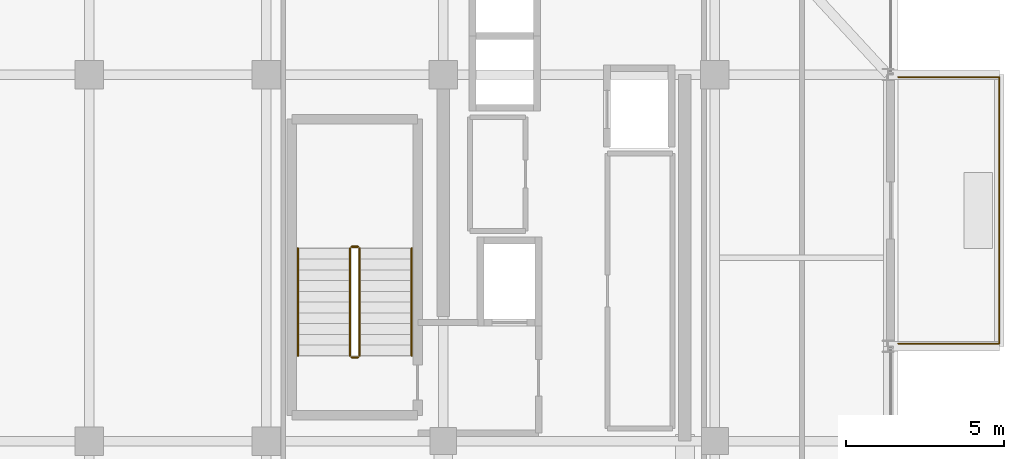
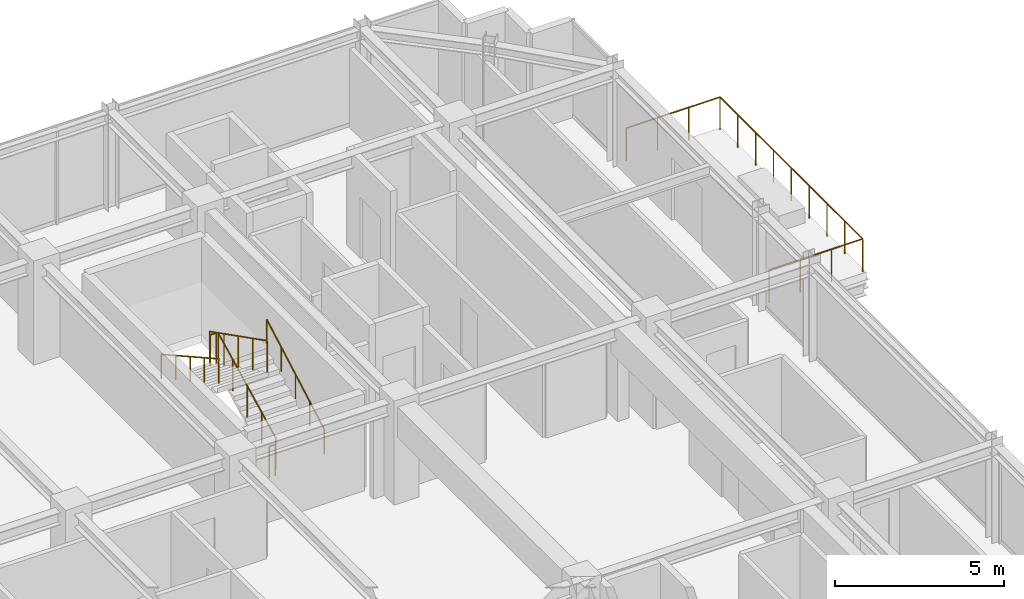
# One storey, part 31 of 32: 7 railings.
"""IFC4 building model written with IfcOpenShell, lengths in metres."""

from ifc_helpers import new_model, si_unit, direction, frame, origin, origin_2d, place, context, subcontext, project, spatial, circle, extrude, material, type_object, element, save


model = new_model("IFC4")

# Units and contexts
model_context = context("Model", 3, precision=1e-05, world=origin(), true_north=direction((0.0, 1.0)))
body_context = subcontext(model_context, "Body", "Model", "MODEL_VIEW")
ifc_project = project(units=[si_unit("LENGTHUNIT", "METRE"), si_unit("AREAUNIT", "SQUARE_METRE"), si_unit("VOLUMEUNIT", "CUBIC_METRE"), si_unit("PLANEANGLEUNIT", "RADIAN"), si_unit("MASSUNIT", "GRAM", prefix="KILO")], contexts=[model_context])

# Site, building, storey
site_placement = place(None, origin())
site = spatial("IfcSite", under=ifc_project, at=site_placement, CompositionType="ELEMENT")
building_placement = place(site_placement, origin())
building = spatial("IfcBuilding", under=site, at=building_placement, Name="Nahalor Promenade Grand Hotel", CompositionType="ELEMENT")
storey_placement = place(building_placement, frame((0.0, 0.0, 330.949951171875)))
storey = spatial("IfcBuildingStorey", under=building, at=storey_placement, Name="L85", CompositionType="ELEMENT", Elevation=330.949951171875)

# Railings
ifc_material_1 = material(Name="Anodised Bronze Aluminium EN AW-6063 T6", Category="aluminium")
railing_type_1 = type_object("IfcRailingType", Name="Bronze Balcony Guardrail 1200 mm", PredefinedType="GUARDRAIL", material=ifc_material_1)
railing_1_placement = place(storey_placement, frame((22.800048828125, 8.47998046875, 0.0)))
element("IfcRailing", 1, at=railing_1_placement, inside=storey, type_object=railing_type_1, Name="L85 Balcony Guardrail 2", PredefinedType="GUARDRAIL", context=body_context, shape_type="SweptSolid", body=[
    extrude(circle(Radius=0.024048, at=origin_2d()), frame((0.0, 0.0, 1.17578125), z_axis=(1.0, 0.0, 0.0), x_axis=(0.0, 1.0, 0.0)), (0.0, 0.0, 1.0), 3.197998046875),
    extrude(circle(Radius=0.024048, at=origin_2d()), frame((3.199951171875, 0.001953125, 1.17578125), z_axis=(0.0, 1.0, 0.0), x_axis=(-1.0, 0.0, 0.0)), (0.0, 0.0, 1.0), 8.43603515625),
    extrude(circle(Radius=0.024048, at=origin_2d()), frame((3.197998046875, 8.43994140625, 1.17578125), z_axis=(-1.0, 0.0, 0.0), x_axis=(0.0, -1.0, 0.0)), (0.0, 0.0, 1.0), 3.197998046875),
    extrude(circle(Radius=0.020996, at=origin_2d()), origin(), (0.0, 0.0, 1.0), 1.14990234375),
    extrude(circle(Radius=0.020996, at=origin_2d()), frame((1.066650390625, 0.0, 0.0)), (0.0, 0.0, 1.0), 1.14990234375),
    extrude(circle(Radius=0.020996, at=origin_2d()), frame((2.13330078125, 0.0, 0.0)), (0.0, 0.0, 1.0), 1.14990234375),
    extrude(circle(Radius=0.020996, at=origin_2d()), frame((3.199951171875, 0.0, 0.0)), (0.0, 0.0, 1.0), 1.14990234375),
    extrude(circle(Radius=0.020996, at=origin_2d()), frame((3.199951171875, 1.054931640625, 0.0)), (0.0, 0.0, 1.0), 1.14990234375),
    extrude(circle(Radius=0.020996, at=origin_2d()), frame((3.199951171875, 2.10986328125, 0.0)), (0.0, 0.0, 1.0), 1.14990234375),
    extrude(circle(Radius=0.020996, at=origin_2d()), frame((3.199951171875, 3.1650390625, 0.0)), (0.0, 0.0, 1.0), 1.14990234375),
    extrude(circle(Radius=0.020996, at=origin_2d()), frame((3.199951171875, 4.219970703125, 0.0)), (0.0, 0.0, 1.0), 1.14990234375),
    extrude(circle(Radius=0.020996, at=origin_2d()), frame((3.199951171875, 5.27490234375, 0.0)), (0.0, 0.0, 1.0), 1.14990234375),
    extrude(circle(Radius=0.020996, at=origin_2d()), frame((3.199951171875, 6.330078125, 0.0)), (0.0, 0.0, 1.0), 1.14990234375),
    extrude(circle(Radius=0.020996, at=origin_2d()), frame((3.199951171875, 7.385009765625, 0.0)), (0.0, 0.0, 1.0), 1.14990234375),
    extrude(circle(Radius=0.020996, at=origin_2d()), frame((3.199951171875, 8.43994140625, 0.0)), (0.0, 0.0, 1.0), 1.14990234375),
    extrude(circle(Radius=0.020996, at=origin_2d()), frame((2.13330078125, 8.43994140625, 0.0)), (0.0, 0.0, 1.0), 1.14990234375),
    extrude(circle(Radius=0.020996, at=origin_2d()), frame((1.066650390625, 8.43994140625, 0.0)), (0.0, 0.0, 1.0), 1.14990234375),
    extrude(circle(Radius=0.020996, at=origin_2d()), frame((0.0, 8.43994140625, 0.0)), (0.0, 0.0, 1.0), 1.14990234375),
])
ifc_material_2 = material(Name="Steel S355JR", Category="steel")
railing_type_2 = type_object("IfcRailingType", Name="Steel Stair Guardrail 1150 mm", PredefinedType="GUARDRAIL", material=ifc_material_2)
railing_2_placement = place(storey_placement, frame((5.75, 8.10009765625, 0.1728515625)))
element("IfcRailing", 2, at=railing_2_placement, inside=storey, type_object=railing_type_2, Name="L85 ST1 stair guard 1", PredefinedType="GUARDRAIL", context=body_context, shape_type="SweptSolid", body=[
    extrude(circle(Radius=0.024048, at=origin_2d()), frame((0.0, 0.0, 1.1259765625), z_axis=(0.0, 0.89154070688, 0.452940578858), x_axis=(-1.0, 0.0, 0.0)), (0.0, 0.0, 1.0), 3.8134765625),
    extrude(circle(Radius=0.020996, at=origin_2d()), origin(), (0.0, 0.0, 1.0), 1.099853515625),
    extrude(circle(Radius=0.020996, at=origin_2d()), frame((0.0, 0.85009765625, 0.431884765625)), (0.0, 0.0, 1.0), 1.099853515625),
    extrude(circle(Radius=0.020996, at=origin_2d()), frame((0.0, 1.699951171875, 0.86376953125)), (0.0, 0.0, 1.0), 1.099853515625),
    extrude(circle(Radius=0.020996, at=origin_2d()), frame((0.0, 2.5498046875, 1.29541015625)), (0.0, 0.0, 1.0), 1.099853515625),
    extrude(circle(Radius=0.020996, at=origin_2d()), frame((0.0, 3.39990234375, 1.727294921875)), (0.0, 0.0, 1.0), 1.099853515625),
])
railing_3_placement = place(storey_placement, frame((5.699951171875, 11.550048828125, 1.900146484375)))
element("IfcRailing", 3, at=railing_3_placement, inside=storey, type_object=railing_type_2, Name="L85 ST1 stair guard 2", PredefinedType="GUARDRAIL", context=body_context, shape_type="SweptSolid", body=[
    extrude(circle(Radius=0.024048, at=origin_2d()), frame((0.0, 0.0, 1.1259765625), z_axis=(-1.0, 0.0, 0.0), x_axis=(0.0, -1.0, 0.0)), (0.0, 0.0, 1.0), 0.199951171875),
    extrude(circle(Radius=0.020996, at=origin_2d()), origin(), (0.0, 0.0, 1.0), 1.099853515625),
    extrude(circle(Radius=0.020996, at=origin_2d()), frame((-0.199951171875, 0.0, 0.0)), (0.0, 0.0, 1.0), 1.099853515625),
])
railing_4_placement = place(storey_placement, frame((5.449951171875, 11.5, 2.07275390625)))
element("IfcRailing", 4, at=railing_4_placement, inside=storey, type_object=railing_type_2, Name="L85 ST1 stair guard 3", PredefinedType="GUARDRAIL", context=body_context, shape_type="SweptSolid", body=[
    extrude(circle(Radius=0.024048, at=origin_2d()), frame((0.0, 0.0, 1.1259765625), z_axis=(0.0, -0.89154070688, 0.452940578858), x_axis=(1.0, 0.0, 0.0)), (0.0, 0.0, 1.0), 3.8134765625),
    extrude(circle(Radius=0.020996, at=origin_2d()), origin(), (0.0, 0.0, 1.0), 1.099853515625),
    extrude(circle(Radius=0.020996, at=origin_2d()), frame((0.0, -0.85009765625, 0.431884765625)), (0.0, 0.0, 1.0), 1.099853515625),
    extrude(circle(Radius=0.020996, at=origin_2d()), frame((0.0, -1.699951171875, 0.86376953125)), (0.0, 0.0, 1.0), 1.099853515625),
    extrude(circle(Radius=0.020996, at=origin_2d()), frame((0.0, -2.5498046875, 1.29541015625)), (0.0, 0.0, 1.0), 1.099853515625),
    extrude(circle(Radius=0.020996, at=origin_2d()), frame((0.0, -3.39990234375, 1.727294921875)), (0.0, 0.0, 1.0), 1.099853515625),
])
railing_5_placement = place(storey_placement, frame((5.699951171875, 8.050048828125, 0.0)))
element("IfcRailing", 5, at=railing_5_placement, inside=storey, type_object=railing_type_2, Name="L85 ST1 stair guard 4", PredefinedType="GUARDRAIL", context=body_context, shape_type="SweptSolid", body=[
    extrude(circle(Radius=0.024048, at=origin_2d()), frame((0.0, 0.0, 1.1259765625), z_axis=(-1.0, 0.0, 0.0), x_axis=(0.0, -1.0, 0.0)), (0.0, 0.0, 1.0), 0.199951171875),
    extrude(circle(Radius=0.020996, at=origin_2d()), origin(), (0.0, 0.0, 1.0), 1.099853515625),
    extrude(circle(Radius=0.020996, at=origin_2d()), frame((-0.199951171875, 0.0, 0.0)), (0.0, 0.0, 1.0), 1.099853515625),
])
railing_type_3 = type_object("IfcRailingType", Name="Steel Stair Handrail 900 mm", PredefinedType="HANDRAIL", material=ifc_material_2)
railing_6_placement = place(storey_placement, frame((7.39990234375, 8.10009765625, 0.1728515625)))
element("IfcRailing", 6, at=railing_6_placement, inside=storey, type_object=railing_type_3, Name="L85 ST1 stair handrail 1", PredefinedType="HANDRAIL", context=body_context, shape_type="SweptSolid", body=[
    extrude(circle(Radius=0.024048, at=origin_2d()), frame((0.0, 0.0, 0.8759765625), z_axis=(0.0, 0.872948192752, 0.487812928048), x_axis=(-1.0, 0.0, 0.0)), (0.0, 0.0, 1.0), 3.894775390625),
    extrude(circle(Radius=0.020996, at=origin_2d()), origin(), (0.0, 0.0, 1.0), 0.849853515625),
    extrude(circle(Radius=0.020996, at=origin_2d()), frame((0.0, 0.85009765625, 0.47509765625)), (0.0, 0.0, 1.0), 0.849853515625),
    extrude(circle(Radius=0.020996, at=origin_2d()), frame((0.0, 1.699951171875, 0.949951171875)), (0.0, 0.0, 1.0), 0.849853515625),
    extrude(circle(Radius=0.020996, at=origin_2d()), frame((0.0, 2.5498046875, 1.4248046875)), (0.0, 0.0, 1.0), 0.849853515625),
    extrude(circle(Radius=0.020996, at=origin_2d()), frame((0.0, 3.39990234375, 1.89990234375)), (0.0, 0.0, 1.0), 0.849853515625),
])
railing_7_placement = place(storey_placement, frame((3.800048828125, 11.5, 2.07275390625)))
element("IfcRailing", 7, at=railing_7_placement, inside=storey, type_object=railing_type_3, Name="L85 ST1 stair handrail 2", PredefinedType="HANDRAIL", context=body_context, shape_type="SweptSolid", body=[
    extrude(circle(Radius=0.024048, at=origin_2d()), frame((0.0, 0.0, 0.8759765625), z_axis=(0.0, -0.872948192752, 0.487812928048), x_axis=(1.0, 0.0, 0.0)), (0.0, 0.0, 1.0), 3.894775390625),
    extrude(circle(Radius=0.020996, at=origin_2d()), origin(), (0.0, 0.0, 1.0), 0.849853515625),
    extrude(circle(Radius=0.020996, at=origin_2d()), frame((0.0, -0.85009765625, 0.47509765625)), (0.0, 0.0, 1.0), 0.849853515625),
    extrude(circle(Radius=0.020996, at=origin_2d()), frame((0.0, -1.699951171875, 0.949951171875)), (0.0, 0.0, 1.0), 0.849853515625),
    extrude(circle(Radius=0.020996, at=origin_2d()), frame((0.0, -2.5498046875, 1.4248046875)), (0.0, 0.0, 1.0), 0.849853515625),
    extrude(circle(Radius=0.020996, at=origin_2d()), frame((0.0, -3.39990234375, 1.89990234375)), (0.0, 0.0, 1.0), 0.849853515625),
])

save(model, "model.ifc")
